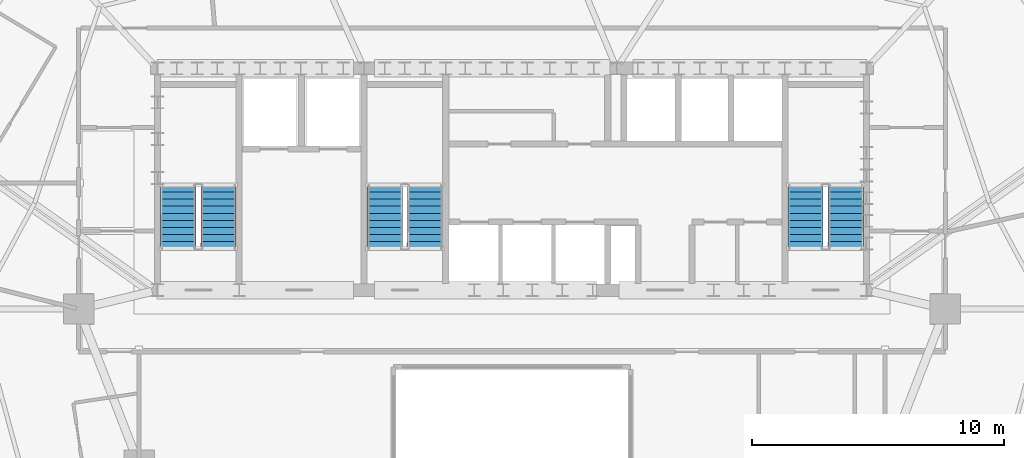
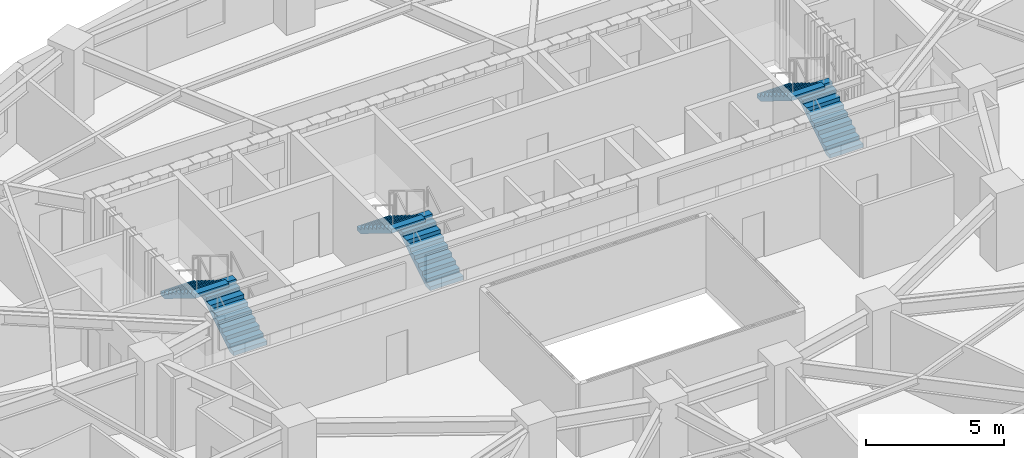
# One storey, part 9 of 12: 6 stair flights, 3 elements without a shape of their own.
"""IFC4 building model written with IfcOpenShell, lengths in metres."""

from ifc_helpers import new_model, si_unit, direction, frame, origin, place, context, subcontext, project, spatial, polyline, outline, extrude, material, type_object, element, aggregate, save


model = new_model("IFC4")

# Units and contexts
model_context = context("Model", 3, precision=1e-05, world=origin(), true_north=direction((0.0, 1.0)))
body_context = subcontext(model_context, "Body", "Model", "MODEL_VIEW")
ifc_project = project(units=[si_unit("LENGTHUNIT", "METRE"), si_unit("AREAUNIT", "SQUARE_METRE"), si_unit("VOLUMEUNIT", "CUBIC_METRE"), si_unit("PLANEANGLEUNIT", "RADIAN"), si_unit("MASSUNIT", "GRAM", prefix="KILO")], contexts=[model_context])

# Site, building, storey
site_placement = place(None, origin())
site = spatial("IfcSite", under=ifc_project, at=site_placement, CompositionType="ELEMENT")
building_placement = place(site_placement, origin())
building = spatial("IfcBuilding", under=site, at=building_placement, Name="Haldorwick Loom Tower", CompositionType="ELEMENT")
storey_placement = place(building_placement, frame((0.0, 0.0, 157.89990234375)))
storey = spatial("IfcBuildingStorey", under=building, at=storey_placement, Name="L42", CompositionType="ELEMENT", Elevation=157.89990234375)

# Stair, stair flights
ifc_material = material(Name="Concrete C40 (40 MPa)", Category="concrete")
stair_type = type_object("IfcStairType", Name="STR-STR-CORE", PredefinedType="HALF_TURN_STAIR", material=ifc_material)
stair_1_placement = place(storey_placement, origin())
stair_1 = element("IfcStair", 1, at=stair_1_placement, inside=storey, type_object=stair_type, Name="L42 Exit Stair ST-01", PredefinedType="HALF_TURN_STAIR")
stair_flight_type = type_object("IfcStairFlightType", Name="STR-STF-1250", PredefinedType="STRAIGHT", material=ifc_material)
stair_flight_1_placement = place(storey_placement, frame((24.35009765625, 28.39990234375, 0.0), z_axis=(0.0, 0.0, 1.0), x_axis=(0.0, 1.0, 0.0)))
stair_flight_1 = element("IfcStairFlight", 2, at=stair_flight_1_placement, type_object=stair_flight_type, Name="ST-01 flight 1", NumberOfRisers=10, NumberOfTreads=9, PredefinedType="STRAIGHT", RiserHeight=0.1725, TreadLength=0.28, context=body_context, shape_type="SweptSolid", body=[
    extrude(outline(polyline([(0.0, 0.0), (0.0, 0.172607421875), (0.280029296875, 0.172607421875), (0.280029296875, 0.344970703125), (0.56005859375, 0.344970703125), (0.56005859375, 0.517578125), (0.840087890625, 0.517578125), (0.840087890625, 0.68994140625), (1.1201171875, 0.68994140625), (1.1201171875, 0.862548828125), (1.39990234375, 0.862548828125), (1.39990234375, 1.034912109375), (1.679931640625, 1.034912109375), (1.679931640625, 1.20751953125), (1.9599609375, 1.20751953125), (1.9599609375, 1.3798828125), (2.239990234375, 1.3798828125), (2.239990234375, 1.552490234375), (2.52001953125, 1.552490234375), (2.52001953125, 1.72509765625), (2.52001953125, 1.37646484375), (0.285888671875, 0.0), (0.0, 0.0)])), frame((0.0, 0.699951171875, 0.0), z_axis=(0.0, -1.0, 0.0), x_axis=(1.0, 0.0, 0.0)), (0.0, 0.0, 1.0), 1.39990234375),
])
stair_flight_2_placement = place(storey_placement, frame((22.75, 30.919921875, 1.72509765625), z_axis=(0.0, 0.0, 1.0), x_axis=(0.0, -1.0, 0.0)))
stair_flight_2 = element("IfcStairFlight", 3, at=stair_flight_2_placement, type_object=stair_flight_type, Name="ST-01 flight 2", NumberOfRisers=10, NumberOfTreads=9, PredefinedType="STRAIGHT", RiserHeight=0.1725, TreadLength=0.28, context=body_context, shape_type="SweptSolid", body=[
    extrude(outline(polyline([(0.0, 0.0), (0.0, 0.172607421875), (0.280029296875, 0.172607421875), (0.280029296875, 0.344970703125), (0.56005859375, 0.344970703125), (0.56005859375, 0.517578125), (0.840087890625, 0.517578125), (0.840087890625, 0.68994140625), (1.1201171875, 0.68994140625), (1.1201171875, 0.862548828125), (1.39990234375, 0.862548828125), (1.39990234375, 1.034912109375), (1.679931640625, 1.034912109375), (1.679931640625, 1.20751953125), (1.9599609375, 1.20751953125), (1.9599609375, 1.3798828125), (2.239990234375, 1.3798828125), (2.239990234375, 1.552490234375), (2.52001953125, 1.552490234375), (2.52001953125, 1.72509765625), (2.52001953125, 1.37646484375), (0.285888671875, 0.0), (0.0, 0.0)])), frame((0.0, 0.699951171875, 0.0), z_axis=(0.0, -1.0, 0.0), x_axis=(1.0, 0.0, 0.0)), (0.0, 0.0, 1.0), 1.39990234375),
])
aggregate(stair_1, [stair_flight_1, stair_flight_2])

stair_2_placement = place(storey_placement, origin())
stair_2 = element("IfcStair", 4, at=stair_2_placement, inside=storey, type_object=stair_type, Name="L42 Exit Stair ST-02", PredefinedType="HALF_TURN_STAIR")
stair_flight_3_placement = place(storey_placement, frame((49.25, 28.39990234375, 0.0), z_axis=(0.0, 0.0, 1.0), x_axis=(0.0, 1.0, 0.0)))
stair_flight_3 = element("IfcStairFlight", 5, at=stair_flight_3_placement, type_object=stair_flight_type, Name="ST-02 flight 1", NumberOfRisers=10, NumberOfTreads=9, PredefinedType="STRAIGHT", RiserHeight=0.1725, TreadLength=0.28, context=body_context, shape_type="SweptSolid", body=[
    extrude(outline(polyline([(0.0, 0.0), (0.0, 0.172607421875), (0.280029296875, 0.172607421875), (0.280029296875, 0.344970703125), (0.56005859375, 0.344970703125), (0.56005859375, 0.517578125), (0.840087890625, 0.517578125), (0.840087890625, 0.68994140625), (1.1201171875, 0.68994140625), (1.1201171875, 0.862548828125), (1.39990234375, 0.862548828125), (1.39990234375, 1.034912109375), (1.679931640625, 1.034912109375), (1.679931640625, 1.20751953125), (1.9599609375, 1.20751953125), (1.9599609375, 1.3798828125), (2.239990234375, 1.3798828125), (2.239990234375, 1.552490234375), (2.52001953125, 1.552490234375), (2.52001953125, 1.72509765625), (2.52001953125, 1.37646484375), (0.285888671875, 0.0), (0.0, 0.0)])), frame((0.0, 0.699951171875, 0.0), z_axis=(0.0, -1.0, 0.0), x_axis=(1.0, 0.0, 0.0)), (0.0, 0.0, 1.0), 1.39990234375),
])
stair_flight_4_placement = place(storey_placement, frame((47.64990234375, 30.919921875, 1.72509765625), z_axis=(0.0, 0.0, 1.0), x_axis=(0.0, -1.0, 0.0)))
stair_flight_4 = element("IfcStairFlight", 6, at=stair_flight_4_placement, type_object=stair_flight_type, Name="ST-02 flight 2", NumberOfRisers=10, NumberOfTreads=9, PredefinedType="STRAIGHT", RiserHeight=0.1725, TreadLength=0.28, context=body_context, shape_type="SweptSolid", body=[
    extrude(outline(polyline([(0.0, 0.0), (0.0, 0.172607421875), (0.280029296875, 0.172607421875), (0.280029296875, 0.344970703125), (0.56005859375, 0.344970703125), (0.56005859375, 0.517578125), (0.840087890625, 0.517578125), (0.840087890625, 0.68994140625), (1.1201171875, 0.68994140625), (1.1201171875, 0.862548828125), (1.39990234375, 0.862548828125), (1.39990234375, 1.034912109375), (1.679931640625, 1.034912109375), (1.679931640625, 1.20751953125), (1.9599609375, 1.20751953125), (1.9599609375, 1.3798828125), (2.239990234375, 1.3798828125), (2.239990234375, 1.552490234375), (2.52001953125, 1.552490234375), (2.52001953125, 1.72509765625), (2.52001953125, 1.37646484375), (0.285888671875, 0.0), (0.0, 0.0)])), frame((0.0, 0.699951171875, 0.0), z_axis=(0.0, -1.0, 0.0), x_axis=(1.0, 0.0, 0.0)), (0.0, 0.0, 1.0), 1.39990234375),
])
aggregate(stair_2, [stair_flight_3, stair_flight_4])

stair_3_placement = place(storey_placement, origin())
stair_3 = element("IfcStair", 7, at=stair_3_placement, inside=storey, type_object=stair_type, Name="L42 Exit Stair ST-03", PredefinedType="HALF_TURN_STAIR")
stair_flight_5_placement = place(storey_placement, frame((32.550048828125, 28.39990234375, 0.0), z_axis=(0.0, 0.0, 1.0), x_axis=(0.0, 1.0, 0.0)))
stair_flight_5 = element("IfcStairFlight", 8, at=stair_flight_5_placement, type_object=stair_flight_type, Name="ST-03 flight 1", NumberOfRisers=10, NumberOfTreads=9, PredefinedType="STRAIGHT", RiserHeight=0.1725, TreadLength=0.28, context=body_context, shape_type="SweptSolid", body=[
    extrude(outline(polyline([(0.0, 0.0), (0.0, 0.172607421875), (0.280029296875, 0.172607421875), (0.280029296875, 0.344970703125), (0.56005859375, 0.344970703125), (0.56005859375, 0.517578125), (0.840087890625, 0.517578125), (0.840087890625, 0.68994140625), (1.1201171875, 0.68994140625), (1.1201171875, 0.862548828125), (1.39990234375, 0.862548828125), (1.39990234375, 1.034912109375), (1.679931640625, 1.034912109375), (1.679931640625, 1.20751953125), (1.9599609375, 1.20751953125), (1.9599609375, 1.3798828125), (2.239990234375, 1.3798828125), (2.239990234375, 1.552490234375), (2.52001953125, 1.552490234375), (2.52001953125, 1.72509765625), (2.52001953125, 1.37646484375), (0.285888671875, 0.0), (0.0, 0.0)])), frame((0.0, 0.699951171875, 0.0), z_axis=(0.0, -1.0, 0.0), x_axis=(1.0, 0.0, 0.0)), (0.0, 0.0, 1.0), 1.39990234375),
])
stair_flight_6_placement = place(storey_placement, frame((30.949951171875, 30.919921875, 1.72509765625), z_axis=(0.0, 0.0, 1.0), x_axis=(0.0, -1.0, 0.0)))
stair_flight_6 = element("IfcStairFlight", 9, at=stair_flight_6_placement, type_object=stair_flight_type, Name="ST-03 flight 2", NumberOfRisers=10, NumberOfTreads=9, PredefinedType="STRAIGHT", RiserHeight=0.1725, TreadLength=0.28, context=body_context, shape_type="SweptSolid", body=[
    extrude(outline(polyline([(0.0, 0.0), (0.0, 0.172607421875), (0.280029296875, 0.172607421875), (0.280029296875, 0.344970703125), (0.56005859375, 0.344970703125), (0.56005859375, 0.517578125), (0.840087890625, 0.517578125), (0.840087890625, 0.68994140625), (1.1201171875, 0.68994140625), (1.1201171875, 0.862548828125), (1.39990234375, 0.862548828125), (1.39990234375, 1.034912109375), (1.679931640625, 1.034912109375), (1.679931640625, 1.20751953125), (1.9599609375, 1.20751953125), (1.9599609375, 1.3798828125), (2.239990234375, 1.3798828125), (2.239990234375, 1.552490234375), (2.52001953125, 1.552490234375), (2.52001953125, 1.72509765625), (2.52001953125, 1.37646484375), (0.285888671875, 0.0), (0.0, 0.0)])), frame((0.0, 0.699951171875, 0.0), z_axis=(0.0, -1.0, 0.0), x_axis=(1.0, 0.0, 0.0)), (0.0, 0.0, 1.0), 1.39990234375),
])
aggregate(stair_3, [stair_flight_5, stair_flight_6])

save(model, "model.ifc")
